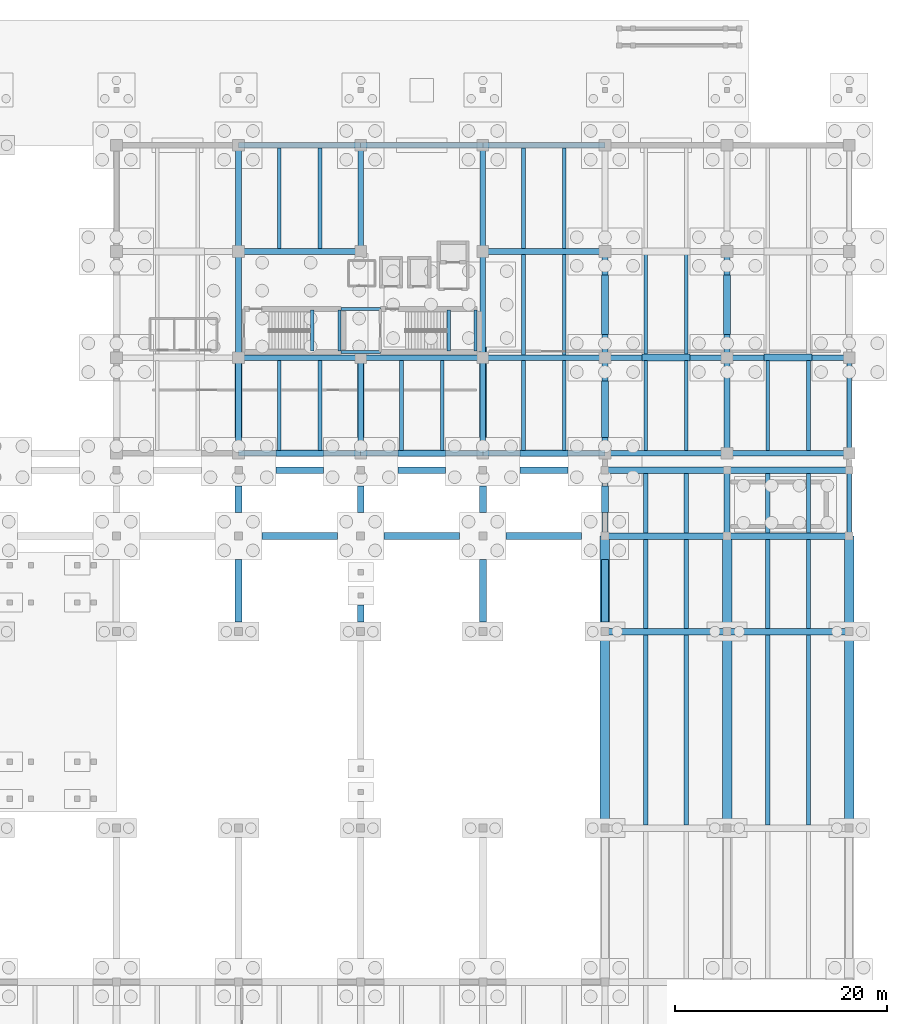
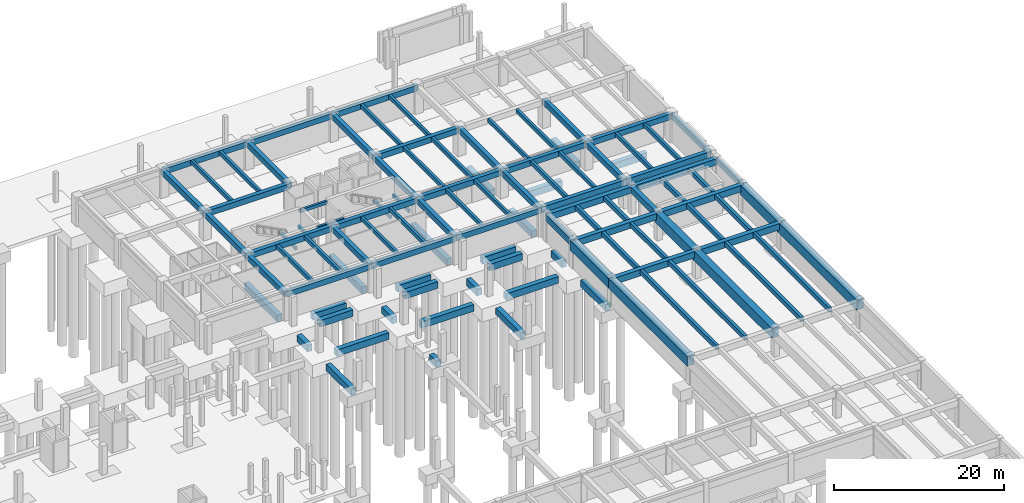
# One storey, part 15 of 28: 104 beams.
"""IFC4 building model written with IfcOpenShell, lengths in metres."""

from ifc_helpers import new_model, si_unit, direction, frame, origin, origin_2d, place, context, subcontext, project, spatial, rectangle, extrude, material, material_profile, profile_set, type_object, element, save


model = new_model("IFC4")

# Units and contexts
model_context = context("Model", 3, precision=1e-05, world=origin(), true_north=direction((0.0, 1.0)))
body_context = subcontext(model_context, "Body", "Model", "MODEL_VIEW")
ifc_project = project(units=[si_unit("LENGTHUNIT", "METRE"), si_unit("AREAUNIT", "SQUARE_METRE"), si_unit("VOLUMEUNIT", "CUBIC_METRE"), si_unit("PLANEANGLEUNIT", "RADIAN"), si_unit("MASSUNIT", "GRAM", prefix="KILO")], contexts=[model_context])

# Site, building, storey
site_placement = place(None, origin())
site = spatial("IfcSite", under=ifc_project, at=site_placement, CompositionType="ELEMENT")
building_placement = place(site_placement, origin())
building = spatial("IfcBuilding", under=site, at=building_placement, Name="Ologun Quay Terminus", CompositionType="ELEMENT")
storey_placement = place(building_placement, frame((0.0, 0.0, -8.39990234375)))
storey = spatial("IfcBuildingStorey", under=building, at=storey_placement, Name="B02", CompositionType="ELEMENT", Elevation=-8.39990234375)

# Beams
ifc_material_1 = material(Name="Concrete C40/50", Category="concrete")
ifc_material_profile_1 = material_profile(ifc_material_1, rectangle(XDim=0.300048828125, YDim=0.449951171875, at=origin_2d()), Name="RC 300x450")
ifc_profile_set_1 = profile_set([ifc_material_profile_1], Name="Concrete C40/50")
beam_type_1 = type_object("IfcBeamType", Name="Core Coupling Lintel Beam 300x450", PredefinedType="LINTEL", material=ifc_profile_set_1)
for number, where, z_axis, x_axis, name in (
    (1, (136.14990234375, 95.324951171875, 3.724853515625), (1.0, 0.0, 0.0), (0.0, 1.0, 0.0), "LN1 Beam 13/H B02"),
    (2, (136.14990234375, 99.375, 3.724853515625), (1.0, 0.0, 0.0), (0.0, 1.0, 0.0), "LN1 Beam 13/H B02"),
):
    element("IfcBeam", number, at=place(storey_placement, frame(where, z_axis=z_axis, x_axis=x_axis)), inside=storey, type_object=beam_type_1, Name=name, PredefinedType="LINTEL", context=body_context, shape_type="SweptSolid", body=[
        extrude(rectangle(XDim=0.300048828125, YDim=0.449951171875, at=origin_2d()), origin(), (0.0, 0.0, 1.0), 3.7001953125),
    ])
for number, where, z_axis, x_axis, name in (
    (3, (133.43994140625, 95.429931640625, 1.69482421875), (0.0, 1.0, 0.0), (-1.0, 0.0, 0.0), "LN1 Half-Landing Ledger Beam ST-E1-W B02"),
    (4, (136.010009765625, 95.429931640625, 1.69482421875), (0.0, 1.0, 0.0), (-1.0, 0.0, 0.0), "LN1 Half-Landing Ledger Beam ST-E1-E B02"),
    (5, (146.2900390625, 95.429931640625, 1.69482421875), (0.0, 1.0, 0.0), (-1.0, 0.0, 0.0), "LN1 Half-Landing Ledger Beam ST-E2-W B02"),
    (6, (148.81005859375, 95.429931640625, 1.69482421875), (0.0, 1.0, 0.0), (-1.0, 0.0, 0.0), "LN1 Half-Landing Ledger Beam ST-E2-E B02"),
):
    element("IfcBeam", number, at=place(storey_placement, frame(where, z_axis=z_axis, x_axis=x_axis)), inside=storey, type_object=beam_type_1, Name=name, PredefinedType="LINTEL", context=body_context, shape_type="SweptSolid", body=[
        extrude(rectangle(XDim=0.300048828125, YDim=0.449951171875, at=origin_2d()), origin(), (0.0, 0.0, 1.0), 3.840087890625),
    ])
ifc_material_2 = material(Name="Concrete C40/50", Category="concrete")
ifc_material_profile_2 = material_profile(ifc_material_2, rectangle(XDim=0.550048828125, YDim=0.800048828125, at=origin_2d()), Name="RC 550x800")
ifc_profile_set_2 = profile_set([ifc_material_profile_2], Name="Concrete C40/50")
beam_type_2 = type_object("IfcBeamType", Name="Courtyard Wing Primary Girder 550x800", PredefinedType="BEAM", material=ifc_profile_set_2)
for number, where, z_axis, x_axis, name in (
    (7, (126.5, 85.800048828125, 3.52001953125), (1.0, 0.0, 0.0), (0.0, 1.0, 0.0), "B4 Beam 12/G2 B02"),
    (8, (138.0, 85.800048828125, 3.52001953125), (1.0, 0.0, 0.0), (0.0, 1.0, 0.0), "B4 Beam 13/G2 B02"),
    (9, (149.5, 85.800048828125, 3.52001953125), (1.0, 0.0, 0.0), (0.0, 1.0, 0.0), "B4 Beam 14/G2 B02"),
    (10, (161.0, 85.800048828125, 3.52001953125), (1.0, 0.0, 0.0), (0.0, 1.0, 0.0), "B4 Beam 15/G2 B02"),
    (11, (172.5, 85.800048828125, 3.52001953125), (1.0, 0.0, 0.0), (0.0, 1.0, 0.0), "B4 Beam 16/G2 B02"),
    (12, (126.5, 94.800048828125, 3.52001953125), (1.0, 0.0, 0.0), (0.0, 1.0, 0.0), "B4 Beam 12/H B02"),
    (13, (138.0, 94.800048828125, 3.52001953125), (1.0, 0.0, 0.0), (0.0, 1.0, 0.0), "B4 Beam 13/H B02"),
    (14, (149.5, 94.800048828125, 3.52001953125), (1.0, 0.0, 0.0), (0.0, 1.0, 0.0), "B4 Beam 14/H B02"),
    (15, (161.0, 94.800048828125, 3.52001953125), (1.0, 0.0, 0.0), (0.0, 1.0, 0.0), "B4 Beam 15/H B02"),
    (16, (172.5, 94.800048828125, 3.52001953125), (1.0, 0.0, 0.0), (0.0, 1.0, 0.0), "B4 Beam 16/H B02"),
    (17, (126.5, 104.800048828125, 3.52001953125), (1.0, 0.0, 0.0), (0.0, 1.0, 0.0), "B4 Beam 12/J B02"),
    (18, (149.5, 104.800048828125, 3.52001953125), (1.0, 0.0, 0.0), (0.0, 1.0, 0.0), "B4 Beam 14/J B02"),
    (19, (126.5, 114.800048828125, 3.52001953125), (1.0, 0.0, 0.0), (0.0, 1.0, 0.0), "B4 Beam 12/K B02"),
    (20, (138.0, 114.800048828125, 3.52001953125), (1.0, 0.0, 0.0), (0.0, 1.0, 0.0), "B4 Beam 13/K B02"),
    (21, (149.5, 114.800048828125, 3.52001953125), (1.0, 0.0, 0.0), (0.0, 1.0, 0.0), "B4 Beam 14/K B02"),
):
    element("IfcBeam", number, at=place(storey_placement, frame(where, z_axis=z_axis, x_axis=x_axis)), inside=storey, type_object=beam_type_2, Name=name, PredefinedType="BEAM", context=body_context, shape_type="SweptSolid", body=[
        extrude(rectangle(XDim=0.550048828125, YDim=0.800048828125, at=origin_2d()), origin(), (0.0, 0.0, 1.0), 11.5),
    ])
beam_1_placement = place(storey_placement, frame((126.5, 85.800048828125, 3.52001953125), z_axis=(0.0, 1.0, 0.0), x_axis=(-1.0, 0.0, 0.0)))
element("IfcBeam", 22, at=beam_1_placement, inside=storey, type_object=beam_type_2, Name="B4 Beam 12/G2 B02", PredefinedType="BEAM", context=body_context, shape_type="SweptSolid", body=[
    extrude(rectangle(XDim=0.550048828125, YDim=0.800048828125, at=origin_2d()), origin(), (0.0, 0.0, 1.0), 9.0),
])
for number, where, z_axis, x_axis, name in (
    (23, (126.5, 94.800048828125, 3.52001953125), (0.0, 1.0, 0.0), (-1.0, 0.0, 0.0), "B4 Beam 12/H B02"),
    (24, (126.5, 104.800048828125, 3.52001953125), (0.0, 1.0, 0.0), (-1.0, 0.0, 0.0), "B4 Beam 12/J B02"),
):
    element("IfcBeam", number, at=place(storey_placement, frame(where, z_axis=z_axis, x_axis=x_axis)), inside=storey, type_object=beam_type_2, Name=name, PredefinedType="BEAM", context=body_context, shape_type="SweptSolid", body=[
        extrude(rectangle(XDim=0.550048828125, YDim=0.800048828125, at=origin_2d()), origin(), (0.0, 0.0, 1.0), 10.0),
    ])
beam_2_placement = place(storey_placement, frame((138.0, 85.800048828125, 3.52001953125), z_axis=(0.0, 1.0, 0.0), x_axis=(-1.0, 0.0, 0.0)))
element("IfcBeam", 25, at=beam_2_placement, inside=storey, type_object=beam_type_2, Name="B4 Beam 13/G2 B02", PredefinedType="BEAM", context=body_context, shape_type="SweptSolid", body=[
    extrude(rectangle(XDim=0.550048828125, YDim=0.800048828125, at=origin_2d()), origin(), (0.0, 0.0, 1.0), 9.0),
])
beam_3_placement = place(storey_placement, frame((138.0, 104.800048828125, 3.52001953125), z_axis=(0.0, 1.0, 0.0), x_axis=(-1.0, 0.0, 0.0)))
element("IfcBeam", 26, at=beam_3_placement, inside=storey, type_object=beam_type_2, Name="B4 Beam 13/J B02", PredefinedType="BEAM", context=body_context, shape_type="SweptSolid", body=[
    extrude(rectangle(XDim=0.550048828125, YDim=0.800048828125, at=origin_2d()), origin(), (0.0, 0.0, 1.0), 10.0),
])
beam_4_placement = place(storey_placement, frame((149.5, 85.800048828125, 3.52001953125), z_axis=(0.0, 1.0, 0.0), x_axis=(-1.0, 0.0, 0.0)))
element("IfcBeam", 27, at=beam_4_placement, inside=storey, type_object=beam_type_2, Name="B4 Beam 14/G2 B02", PredefinedType="BEAM", context=body_context, shape_type="SweptSolid", body=[
    extrude(rectangle(XDim=0.550048828125, YDim=0.800048828125, at=origin_2d()), origin(), (0.0, 0.0, 1.0), 9.0),
])
for number, where, z_axis, x_axis, name in (
    (28, (149.5, 94.800048828125, 3.52001953125), (0.0, 1.0, 0.0), (-1.0, 0.0, 0.0), "B4 Beam 14/H B02"),
    (29, (149.5, 104.800048828125, 3.52001953125), (0.0, 1.0, 0.0), (-1.0, 0.0, 0.0), "B4 Beam 14/J B02"),
):
    element("IfcBeam", number, at=place(storey_placement, frame(where, z_axis=z_axis, x_axis=x_axis)), inside=storey, type_object=beam_type_2, Name=name, PredefinedType="BEAM", context=body_context, shape_type="SweptSolid", body=[
        extrude(rectangle(XDim=0.550048828125, YDim=0.800048828125, at=origin_2d()), origin(), (0.0, 0.0, 1.0), 10.0),
    ])
beam_5_placement = place(storey_placement, frame((161.0, 85.800048828125, 3.52001953125), z_axis=(0.0, 1.0, 0.0), x_axis=(-1.0, 0.0, 0.0)))
element("IfcBeam", 30, at=beam_5_placement, inside=storey, type_object=beam_type_2, Name="B4 Beam 15/G2 B02", PredefinedType="BEAM", context=body_context, shape_type="SweptSolid", body=[
    extrude(rectangle(XDim=0.550048828125, YDim=0.800048828125, at=origin_2d()), origin(), (0.0, 0.0, 1.0), 9.0),
])
beam_6_placement = place(storey_placement, frame((161.0, 94.800048828125, 3.52001953125), z_axis=(0.0, 1.0, 0.0), x_axis=(-1.0, 0.0, 0.0)))
element("IfcBeam", 31, at=beam_6_placement, inside=storey, type_object=beam_type_2, Name="B4 Beam 15/H B02", PredefinedType="BEAM", context=body_context, shape_type="SweptSolid", body=[
    extrude(rectangle(XDim=0.550048828125, YDim=0.800048828125, at=origin_2d()), origin(), (0.0, 0.0, 1.0), 10.0),
])
beam_7_placement = place(storey_placement, frame((172.5, 85.800048828125, 3.52001953125), z_axis=(0.0, 1.0, 0.0), x_axis=(-1.0, 0.0, 0.0)))
element("IfcBeam", 32, at=beam_7_placement, inside=storey, type_object=beam_type_2, Name="B4 Beam 16/G2 B02", PredefinedType="BEAM", context=body_context, shape_type="SweptSolid", body=[
    extrude(rectangle(XDim=0.550048828125, YDim=0.800048828125, at=origin_2d()), origin(), (0.0, 0.0, 1.0), 9.0),
])
beam_8_placement = place(storey_placement, frame((172.5, 94.800048828125, 3.52001953125), z_axis=(0.0, 1.0, 0.0), x_axis=(-1.0, 0.0, 0.0)))
element("IfcBeam", 33, at=beam_8_placement, inside=storey, type_object=beam_type_2, Name="B4 Beam 16/H B02", PredefinedType="BEAM", context=body_context, shape_type="SweptSolid", body=[
    extrude(rectangle(XDim=0.550048828125, YDim=0.800048828125, at=origin_2d()), origin(), (0.0, 0.0, 1.0), 10.0),
])
ifc_material_3 = material(Name="Concrete C40/50", Category="concrete")
ifc_material_profile_3 = material_profile(ifc_material_3, rectangle(XDim=0.35009765625, YDim=0.550048828125, at=origin_2d()), Name="RC 350x550")
ifc_profile_set_3 = profile_set([ifc_material_profile_3], Name="Concrete C40/50")
beam_type_3 = type_object("IfcBeamType", Name="Courtyard Wing Secondary Joist 350x550", PredefinedType="JOIST", material=ifc_profile_set_3)
for number, where, z_axis, x_axis, name in (
    (34, (130.333251953125, 86.074951171875, 3.64501953125), (0.0, 1.0, 0.0), (-1.0, 0.0, 0.0), "J2 Beam 12/G2 B02"),
    (35, (134.166748046875, 86.074951171875, 3.64501953125), (0.0, 1.0, 0.0), (-1.0, 0.0, 0.0), "J2 Beam 12/G2 B02"),
):
    element("IfcBeam", number, at=place(storey_placement, frame(where, z_axis=z_axis, x_axis=x_axis)), inside=storey, type_object=beam_type_3, Name=name, PredefinedType="JOIST", context=body_context, shape_type="SweptSolid", body=[
        extrude(rectangle(XDim=0.35009765625, YDim=0.550048828125, at=origin_2d()), origin(), (0.0, 0.0, 1.0), 8.449951171875),
    ])
for number, where, z_axis, x_axis, name in (
    (36, (130.333251953125, 105.074951171875, 3.64501953125), (0.0, 1.0, 0.0), (-1.0, 0.0, 0.0), "J2 Beam 12/J B02"),
    (37, (134.166748046875, 105.074951171875, 3.64501953125), (0.0, 1.0, 0.0), (-1.0, 0.0, 0.0), "J2 Beam 12/J B02"),
):
    element("IfcBeam", number, at=place(storey_placement, frame(where, z_axis=z_axis, x_axis=x_axis)), inside=storey, type_object=beam_type_3, Name=name, PredefinedType="JOIST", context=body_context, shape_type="SweptSolid", body=[
        extrude(rectangle(XDim=0.35009765625, YDim=0.550048828125, at=origin_2d()), origin(), (0.0, 0.0, 1.0), 9.449951171875),
    ])
for number, where, z_axis, x_axis, name in (
    (38, (141.833251953125, 86.074951171875, 3.64501953125), (0.0, 1.0, 0.0), (-1.0, 0.0, 0.0), "J2 Beam 13/G2 B02"),
    (39, (145.666748046875, 86.074951171875, 3.64501953125), (0.0, 1.0, 0.0), (-1.0, 0.0, 0.0), "J2 Beam 13/G2 B02"),
    (40, (153.333251953125, 86.074951171875, 3.64501953125), (0.0, 1.0, 0.0), (-1.0, 0.0, 0.0), "J2 Beam 14/G2 B02"),
    (41, (157.166748046875, 86.074951171875, 3.64501953125), (0.0, 1.0, 0.0), (-1.0, 0.0, 0.0), "J2 Beam 14/G2 B02"),
):
    element("IfcBeam", number, at=place(storey_placement, frame(where, z_axis=z_axis, x_axis=x_axis)), inside=storey, type_object=beam_type_3, Name=name, PredefinedType="JOIST", context=body_context, shape_type="SweptSolid", body=[
        extrude(rectangle(XDim=0.35009765625, YDim=0.550048828125, at=origin_2d()), origin(), (0.0, 0.0, 1.0), 8.449951171875),
    ])
for number, where, z_axis, x_axis, name in (
    (42, (153.333251953125, 95.074951171875, 3.64501953125), (0.0, 1.0, 0.0), (-1.0, 0.0, 0.0), "J2 Beam 14/H B02"),
    (43, (157.166748046875, 95.074951171875, 3.64501953125), (0.0, 1.0, 0.0), (-1.0, 0.0, 0.0), "J2 Beam 14/H B02"),
    (44, (153.333251953125, 105.074951171875, 3.64501953125), (0.0, 1.0, 0.0), (-1.0, 0.0, 0.0), "J2 Beam 14/J B02"),
    (45, (157.166748046875, 105.074951171875, 3.64501953125), (0.0, 1.0, 0.0), (-1.0, 0.0, 0.0), "J2 Beam 14/J B02"),
):
    element("IfcBeam", number, at=place(storey_placement, frame(where, z_axis=z_axis, x_axis=x_axis)), inside=storey, type_object=beam_type_3, Name=name, PredefinedType="JOIST", context=body_context, shape_type="SweptSolid", body=[
        extrude(rectangle(XDim=0.35009765625, YDim=0.550048828125, at=origin_2d()), origin(), (0.0, 0.0, 1.0), 9.449951171875),
    ])
for number, where, z_axis, x_axis, name in (
    (46, (164.833251953125, 86.074951171875, 3.64501953125), (0.0, 1.0, 0.0), (-1.0, 0.0, 0.0), "J2 Beam 15/G2 B02"),
    (47, (168.666748046875, 86.074951171875, 3.64501953125), (0.0, 1.0, 0.0), (-1.0, 0.0, 0.0), "J2 Beam 15/G2 B02"),
):
    element("IfcBeam", number, at=place(storey_placement, frame(where, z_axis=z_axis, x_axis=x_axis)), inside=storey, type_object=beam_type_3, Name=name, PredefinedType="JOIST", context=body_context, shape_type="SweptSolid", body=[
        extrude(rectangle(XDim=0.35009765625, YDim=0.550048828125, at=origin_2d()), origin(), (0.0, 0.0, 1.0), 8.449951171875),
    ])
for number, where, z_axis, x_axis, name in (
    (48, (164.833251953125, 95.074951171875, 3.64501953125), (0.0, 1.0, 0.0), (-1.0, 0.0, 0.0), "J2 Beam 15/H B02"),
    (49, (168.666748046875, 95.074951171875, 3.64501953125), (0.0, 1.0, 0.0), (-1.0, 0.0, 0.0), "J2 Beam 15/H B02"),
):
    element("IfcBeam", number, at=place(storey_placement, frame(where, z_axis=z_axis, x_axis=x_axis)), inside=storey, type_object=beam_type_3, Name=name, PredefinedType="JOIST", context=body_context, shape_type="SweptSolid", body=[
        extrude(rectangle(XDim=0.35009765625, YDim=0.550048828125, at=origin_2d()), origin(), (0.0, 0.0, 1.0), 9.449951171875),
    ])
for number, where, z_axis, x_axis, name in (
    (50, (176.333251953125, 86.074951171875, 3.64501953125), (0.0, 1.0, 0.0), (-1.0, 0.0, 0.0), "J2 Beam 16/G2 B02"),
    (51, (180.166748046875, 86.074951171875, 3.64501953125), (0.0, 1.0, 0.0), (-1.0, 0.0, 0.0), "J2 Beam 16/G2 B02"),
):
    element("IfcBeam", number, at=place(storey_placement, frame(where, z_axis=z_axis, x_axis=x_axis)), inside=storey, type_object=beam_type_3, Name=name, PredefinedType="JOIST", context=body_context, shape_type="SweptSolid", body=[
        extrude(rectangle(XDim=0.35009765625, YDim=0.550048828125, at=origin_2d()), origin(), (0.0, 0.0, 1.0), 8.449951171875),
    ])
ifc_material_4 = material(Name="Concrete C35/45", Category="concrete")
ifc_material_profile_4 = material_profile(ifc_material_4, rectangle(XDim=0.64990234375, YDim=0.949951171875, at=origin_2d()), Name="RC 650x950")
ifc_profile_set_4 = profile_set([ifc_material_profile_4], Name="Concrete C35/45")
beam_type_4 = type_object("IfcBeamType", Name="Foundation Tie Beam 650x950", PredefinedType="BEAM", material=ifc_profile_set_4)
for number, where, z_axis, x_axis, name in (
    (52, (128.699951171875, 78.0, -0.925048828125), (1.0, 0.0, 0.0), (0.0, 1.0, 0.0), "GB1 Beam 1/F B02"),
    (53, (140.199951171875, 78.0, -0.925048828125), (1.0, 0.0, 0.0), (0.0, 1.0, 0.0), "GB1 Beam 1/F B02"),
    (54, (151.699951171875, 78.0, -0.925048828125), (1.0, 0.0, 0.0), (0.0, 1.0, 0.0), "GB1 Beam 1/F B02"),
):
    element("IfcBeam", number, at=place(storey_placement, frame(where, z_axis=z_axis, x_axis=x_axis)), inside=storey, type_object=beam_type_4, Name=name, PredefinedType="BEAM", context=body_context, shape_type="SweptSolid", body=[
        extrude(rectangle(XDim=0.64990234375, YDim=0.949951171875, at=origin_2d()), origin(), (0.0, 0.0, 1.0), 7.10009765625),
    ])
for number, where, z_axis, x_axis, name in (
    (55, (130.0, 84.199951171875, -0.925048828125), (1.0, 0.0, 0.0), (0.0, 1.0, 0.0), "GB1 Beam 1/G1 B02"),
    (56, (141.5, 84.199951171875, -0.925048828125), (1.0, 0.0, 0.0), (0.0, 1.0, 0.0), "GB1 Beam 1/G1 B02"),
    (57, (153.0, 84.199951171875, -0.925048828125), (1.0, 0.0, 0.0), (0.0, 1.0, 0.0), "GB1 Beam 1/G1 B02"),
    (58, (130.0, 85.800048828125, -0.925048828125), (1.0, 0.0, 0.0), (0.0, 1.0, 0.0), "GB1 Beam 1/G2 B02"),
    (59, (141.5, 85.800048828125, -0.925048828125), (1.0, 0.0, 0.0), (0.0, 1.0, 0.0), "GB1 Beam 1/G2 B02"),
    (60, (153.0, 85.800048828125, -0.925048828125), (1.0, 0.0, 0.0), (0.0, 1.0, 0.0), "GB1 Beam 1/G2 B02"),
    (61, (164.5, 94.800048828125, -0.925048828125), (1.0, 0.0, 0.0), (0.0, 1.0, 0.0), "GB1 Beam 1/H B02"),
    (62, (176.0, 94.800048828125, -0.925048828125), (1.0, 0.0, 0.0), (0.0, 1.0, 0.0), "GB1 Beam 1/H B02"),
):
    element("IfcBeam", number, at=place(storey_placement, frame(where, z_axis=z_axis, x_axis=x_axis)), inside=storey, type_object=beam_type_4, Name=name, PredefinedType="BEAM", context=body_context, shape_type="SweptSolid", body=[
        extrude(rectangle(XDim=0.64990234375, YDim=0.949951171875, at=origin_2d()), origin(), (0.0, 0.0, 1.0), 4.5),
    ])
beam_9_placement = place(storey_placement, frame((126.5, 69.89990234375, -0.925048828125), z_axis=(0.0, 1.0, 0.0), x_axis=(-1.0, 0.0, 0.0)))
element("IfcBeam", 63, at=beam_9_placement, inside=storey, type_object=beam_type_4, Name="GB1 Beam 12/B B02", PredefinedType="BEAM", context=body_context, shape_type="SweptSolid", body=[
    extrude(rectangle(XDim=0.64990234375, YDim=0.949951171875, at=origin_2d()), origin(), (0.0, 0.0, 1.0), 5.900146484375),
])
beam_10_placement = place(storey_placement, frame((126.5, 80.199951171875, -0.925048828125), z_axis=(0.0, 1.0, 0.0), x_axis=(-1.0, 0.0, 0.0)))
element("IfcBeam", 64, at=beam_10_placement, inside=storey, type_object=beam_type_4, Name="GB1 Beam 12/B B02", PredefinedType="BEAM", context=body_context, shape_type="SweptSolid", body=[
    extrude(rectangle(XDim=0.64990234375, YDim=0.949951171875, at=origin_2d()), origin(), (0.0, 0.0, 1.0), 2.5),
])
beam_11_placement = place(storey_placement, frame((126.5, 87.300048828125, -0.925048828125), z_axis=(0.0, 1.0, 0.0), x_axis=(-1.0, 0.0, 0.0)))
element("IfcBeam", 65, at=beam_11_placement, inside=storey, type_object=beam_type_4, Name="GB1 Beam 12/B B02", PredefinedType="BEAM", context=body_context, shape_type="SweptSolid", body=[
    extrude(rectangle(XDim=0.64990234375, YDim=0.949951171875, at=origin_2d()), origin(), (0.0, 0.0, 1.0), 7.699951171875),
])
beam_12_placement = place(storey_placement, frame((138.0, 69.89990234375, -0.925048828125), z_axis=(0.0, 1.0, 0.0), x_axis=(-1.0, 0.0, 0.0)))
element("IfcBeam", 66, at=beam_12_placement, inside=storey, type_object=beam_type_4, Name="GB1 Beam 13/B B02", PredefinedType="BEAM", context=body_context, shape_type="SweptSolid", body=[
    extrude(rectangle(XDim=0.64990234375, YDim=0.949951171875, at=origin_2d()), origin(), (0.0, 0.0, 1.0), 1.60009765625),
])
beam_13_placement = place(storey_placement, frame((138.0, 80.199951171875, -0.925048828125), z_axis=(0.0, 1.0, 0.0), x_axis=(-1.0, 0.0, 0.0)))
element("IfcBeam", 67, at=beam_13_placement, inside=storey, type_object=beam_type_4, Name="GB1 Beam 13/B B02", PredefinedType="BEAM", context=body_context, shape_type="SweptSolid", body=[
    extrude(rectangle(XDim=0.64990234375, YDim=0.949951171875, at=origin_2d()), origin(), (0.0, 0.0, 1.0), 2.5),
])
beam_14_placement = place(storey_placement, frame((138.0, 87.300048828125, -0.925048828125), z_axis=(0.0, 1.0, 0.0), x_axis=(-1.0, 0.0, 0.0)))
element("IfcBeam", 68, at=beam_14_placement, inside=storey, type_object=beam_type_4, Name="GB1 Beam 13/B B02", PredefinedType="BEAM", context=body_context, shape_type="SweptSolid", body=[
    extrude(rectangle(XDim=0.64990234375, YDim=0.949951171875, at=origin_2d()), origin(), (0.0, 0.0, 1.0), 7.699951171875),
])
beam_15_placement = place(storey_placement, frame((149.5, 69.89990234375, -0.925048828125), z_axis=(0.0, 1.0, 0.0), x_axis=(-1.0, 0.0, 0.0)))
element("IfcBeam", 69, at=beam_15_placement, inside=storey, type_object=beam_type_4, Name="GB1 Beam 14/B B02", PredefinedType="BEAM", context=body_context, shape_type="SweptSolid", body=[
    extrude(rectangle(XDim=0.64990234375, YDim=0.949951171875, at=origin_2d()), origin(), (0.0, 0.0, 1.0), 5.900146484375),
])
beam_16_placement = place(storey_placement, frame((149.5, 80.199951171875, -0.925048828125), z_axis=(0.0, 1.0, 0.0), x_axis=(-1.0, 0.0, 0.0)))
element("IfcBeam", 70, at=beam_16_placement, inside=storey, type_object=beam_type_4, Name="GB1 Beam 14/B B02", PredefinedType="BEAM", context=body_context, shape_type="SweptSolid", body=[
    extrude(rectangle(XDim=0.64990234375, YDim=0.949951171875, at=origin_2d()), origin(), (0.0, 0.0, 1.0), 2.5),
])
beam_17_placement = place(storey_placement, frame((149.5, 87.300048828125, -0.925048828125), z_axis=(0.0, 1.0, 0.0), x_axis=(-1.0, 0.0, 0.0)))
element("IfcBeam", 71, at=beam_17_placement, inside=storey, type_object=beam_type_4, Name="GB1 Beam 14/B B02", PredefinedType="BEAM", context=body_context, shape_type="SweptSolid", body=[
    extrude(rectangle(XDim=0.64990234375, YDim=0.949951171875, at=origin_2d()), origin(), (0.0, 0.0, 1.0), 8.5),
])
beam_18_placement = place(storey_placement, frame((161.0, 69.89990234375, -0.925048828125), z_axis=(0.0, 1.0, 0.0), x_axis=(-1.0, 0.0, 0.0)))
element("IfcBeam", 72, at=beam_18_placement, inside=storey, type_object=beam_type_4, Name="GB1 Beam 15/B B02", PredefinedType="BEAM", context=body_context, shape_type="SweptSolid", body=[
    extrude(rectangle(XDim=0.64990234375, YDim=0.949951171875, at=origin_2d()), origin(), (0.0, 0.0, 1.0), 5.900146484375),
])
beam_19_placement = place(storey_placement, frame((161.0, 80.199951171875, -0.925048828125), z_axis=(0.0, 1.0, 0.0), x_axis=(-1.0, 0.0, 0.0)))
element("IfcBeam", 73, at=beam_19_placement, inside=storey, type_object=beam_type_4, Name="GB1 Beam 15/B B02", PredefinedType="BEAM", context=body_context, shape_type="SweptSolid", body=[
    extrude(rectangle(XDim=0.64990234375, YDim=0.949951171875, at=origin_2d()), origin(), (0.0, 0.0, 1.0), 2.5),
])
beam_20_placement = place(storey_placement, frame((161.0, 87.300048828125, -0.925048828125), z_axis=(0.0, 1.0, 0.0), x_axis=(-1.0, 0.0, 0.0)))
element("IfcBeam", 74, at=beam_20_placement, inside=storey, type_object=beam_type_4, Name="GB1 Beam 15/B B02", PredefinedType="BEAM", context=body_context, shape_type="SweptSolid", body=[
    extrude(rectangle(XDim=0.64990234375, YDim=0.949951171875, at=origin_2d()), origin(), (0.0, 0.0, 1.0), 5.300048828125),
])
for number, where, z_axis, x_axis, name in (
    (75, (161.0, 97.0, -0.925048828125), (0.0, 1.0, 0.0), (-1.0, 0.0, 0.0), "GB1 Beam 15/B B02"),
    (76, (172.5, 97.0, -0.925048828125), (0.0, 1.0, 0.0), (-1.0, 0.0, 0.0), "GB1 Beam 16/B B02"),
):
    element("IfcBeam", number, at=place(storey_placement, frame(where, z_axis=z_axis, x_axis=x_axis)), inside=storey, type_object=beam_type_4, Name=name, PredefinedType="BEAM", context=body_context, shape_type="SweptSolid", body=[
        extrude(rectangle(XDim=0.64990234375, YDim=0.949951171875, at=origin_2d()), origin(), (0.0, 0.0, 1.0), 5.60009765625),
    ])
ifc_material_5 = material(Name="Concrete C45/55", Category="concrete")
ifc_material_profile_5 = material_profile(ifc_material_5, rectangle(XDim=0.89990234375, YDim=1.39990234375, at=origin_2d()), Name="RC 900x1400")
ifc_profile_set_5 = profile_set([ifc_material_profile_5], Name="Concrete C45/55")
beam_type_5 = type_object("IfcBeamType", Name="Heavy Track Deck Girder 900x1400", PredefinedType="BEAM", material=ifc_profile_set_5)
beam_21_placement = place(storey_placement, frame((161.0, 50.5, 3.219970703125), z_axis=(0.0, 1.0, 0.0), x_axis=(-1.0, 0.0, 0.0)))
element("IfcBeam", 77, at=beam_21_placement, inside=storey, type_object=beam_type_5, Name="B1 Beam 15/E B02", PredefinedType="BEAM", context=body_context, shape_type="SweptSolid", body=[
    extrude(rectangle(XDim=0.89990234375, YDim=1.39990234375, at=origin_2d()), origin(), (0.0, 0.0, 1.0), 18.5),
])
beam_22_placement = place(storey_placement, frame((161.0, 69.0, 3.219970703125), z_axis=(0.0, 1.0, 0.0), x_axis=(-1.0, 0.0, 0.0)))
element("IfcBeam", 78, at=beam_22_placement, inside=storey, type_object=beam_type_5, Name="B1 Beam 15/E B02", PredefinedType="BEAM", context=body_context, shape_type="SweptSolid", body=[
    extrude(rectangle(XDim=0.89990234375, YDim=1.39990234375, at=origin_2d()), origin(), (0.0, 0.0, 1.0), 9.0),
])
beam_23_placement = place(storey_placement, frame((172.5, 50.5, 3.219970703125), z_axis=(0.0, 1.0, 0.0), x_axis=(-1.0, 0.0, 0.0)))
element("IfcBeam", 79, at=beam_23_placement, inside=storey, type_object=beam_type_5, Name="B1 Beam 16/E B02", PredefinedType="BEAM", context=body_context, shape_type="SweptSolid", body=[
    extrude(rectangle(XDim=0.89990234375, YDim=1.39990234375, at=origin_2d()), origin(), (0.0, 0.0, 1.0), 18.5),
])
beam_24_placement = place(storey_placement, frame((172.5, 69.0, 3.219970703125), z_axis=(0.0, 1.0, 0.0), x_axis=(-1.0, 0.0, 0.0)))
element("IfcBeam", 80, at=beam_24_placement, inside=storey, type_object=beam_type_5, Name="B1 Beam 16/E B02", PredefinedType="BEAM", context=body_context, shape_type="SweptSolid", body=[
    extrude(rectangle(XDim=0.89990234375, YDim=1.39990234375, at=origin_2d()), origin(), (0.0, 0.0, 1.0), 9.0),
])
beam_25_placement = place(storey_placement, frame((184.0, 50.5, 3.219970703125), z_axis=(0.0, 1.0, 0.0), x_axis=(-1.0, 0.0, 0.0)))
element("IfcBeam", 81, at=beam_25_placement, inside=storey, type_object=beam_type_5, Name="B1 Beam 17/E B02", PredefinedType="BEAM", context=body_context, shape_type="SweptSolid", body=[
    extrude(rectangle(XDim=0.89990234375, YDim=1.39990234375, at=origin_2d()), origin(), (0.0, 0.0, 1.0), 18.5),
])
beam_26_placement = place(storey_placement, frame((184.0, 69.0, 3.219970703125), z_axis=(0.0, 1.0, 0.0), x_axis=(-1.0, 0.0, 0.0)))
element("IfcBeam", 82, at=beam_26_placement, inside=storey, type_object=beam_type_5, Name="B1 Beam 17/E B02", PredefinedType="BEAM", context=body_context, shape_type="SweptSolid", body=[
    extrude(rectangle(XDim=0.89990234375, YDim=1.39990234375, at=origin_2d()), origin(), (0.0, 0.0, 1.0), 9.0),
])
ifc_material_6 = material(Name="Concrete C40/50", Category="concrete")
ifc_material_profile_6 = material_profile(ifc_material_6, rectangle(XDim=0.449951171875, YDim=0.699951171875, at=origin_2d()), Name="RC 450x700")
ifc_profile_set_6 = profile_set([ifc_material_profile_6], Name="Concrete C40/50")
beam_type_6 = type_object("IfcBeamType", Name="Perimeter Spandrel Beam 450x700", PredefinedType="SPANDREL", material=ifc_profile_set_6)
beam_27_placement = place(storey_placement, frame((184.0, 78.0, 3.56982421875), z_axis=(0.0, 1.0, 0.0), x_axis=(-1.0, 0.0, 0.0)))
element("IfcBeam", 83, at=beam_27_placement, inside=storey, type_object=beam_type_6, Name="SP1 Beam 17/F B02", PredefinedType="SPANDREL", context=body_context, shape_type="SweptSolid", body=[
    extrude(rectangle(XDim=0.449951171875, YDim=0.699951171875, at=origin_2d()), origin(), (0.0, 0.0, 1.0), 6.199951171875),
])
beam_28_placement = place(storey_placement, frame((184.0, 85.800048828125, 3.56982421875), z_axis=(0.0, 1.0, 0.0), x_axis=(-1.0, 0.0, 0.0)))
element("IfcBeam", 84, at=beam_28_placement, inside=storey, type_object=beam_type_6, Name="SP1 Beam 17/G2 B02", PredefinedType="SPANDREL", context=body_context, shape_type="SweptSolid", body=[
    extrude(rectangle(XDim=0.449951171875, YDim=0.699951171875, at=origin_2d()), origin(), (0.0, 0.0, 1.0), 9.0),
])
ifc_material_7 = material(Name="Concrete C40/50", Category="concrete")
ifc_material_profile_7 = material_profile(ifc_material_7, rectangle(XDim=0.60009765625, YDim=0.89990234375, at=origin_2d()), Name="RC 600x900")
ifc_profile_set_7 = profile_set([ifc_material_profile_7], Name="Concrete C40/50")
beam_type_7 = type_object("IfcBeamType", Name="Station Frame Girder 600x900", PredefinedType="BEAM", material=ifc_profile_set_7)
for number, where, z_axis, x_axis, name in (
    (85, (161.0, 78.0, 3.469970703125), (1.0, 0.0, 0.0), (0.0, 1.0, 0.0), "B3 Beam 15/F B02"),
    (86, (172.5, 78.0, 3.469970703125), (1.0, 0.0, 0.0), (0.0, 1.0, 0.0), "B3 Beam 16/F B02"),
    (87, (161.0, 84.199951171875, 3.469970703125), (1.0, 0.0, 0.0), (0.0, 1.0, 0.0), "B3 Beam 15/G1 B02"),
    (88, (172.5, 84.199951171875, 3.469970703125), (1.0, 0.0, 0.0), (0.0, 1.0, 0.0), "B3 Beam 16/G1 B02"),
    (89, (161.0, 69.0, 3.469970703125), (1.0, 0.0, 0.0), (0.0, 1.0, 0.0), "B3 Beam 15/E B02"),
    (90, (172.5, 69.0, 3.469970703125), (1.0, 0.0, 0.0), (0.0, 1.0, 0.0), "B3 Beam 16/E B02"),
):
    element("IfcBeam", number, at=place(storey_placement, frame(where, z_axis=z_axis, x_axis=x_axis)), inside=storey, type_object=beam_type_7, Name=name, PredefinedType="BEAM", context=body_context, shape_type="SweptSolid", body=[
        extrude(rectangle(XDim=0.60009765625, YDim=0.89990234375, at=origin_2d()), origin(), (0.0, 0.0, 1.0), 11.5),
    ])
for number, where, z_axis, x_axis, name in (
    (91, (161.0, 78.0, 3.469970703125), (0.0, 1.0, 0.0), (-1.0, 0.0, 0.0), "B3 Beam 15/F B02"),
    (92, (172.5, 78.0, 3.469970703125), (0.0, 1.0, 0.0), (-1.0, 0.0, 0.0), "B3 Beam 16/F B02"),
):
    element("IfcBeam", number, at=place(storey_placement, frame(where, z_axis=z_axis, x_axis=x_axis)), inside=storey, type_object=beam_type_7, Name=name, PredefinedType="BEAM", context=body_context, shape_type="SweptSolid", body=[
        extrude(rectangle(XDim=0.60009765625, YDim=0.89990234375, at=origin_2d()), origin(), (0.0, 0.0, 1.0), 6.199951171875),
    ])
ifc_material_8 = material(Name="Concrete C40/50", Category="concrete")
ifc_material_profile_8 = material_profile(ifc_material_8, rectangle(XDim=0.39990234375, YDim=0.64990234375, at=origin_2d()), Name="RC 400x650")
ifc_profile_set_8 = profile_set([ifc_material_profile_8], Name="Concrete C40/50")
beam_type_8 = type_object("IfcBeamType", Name="Station Secondary Joist 400x650", PredefinedType="JOIST", material=ifc_profile_set_8)
beam_29_placement = place(storey_placement, frame((164.833251953125, 50.800048828125, 3.594970703125), z_axis=(0.0, 1.0, 0.0), x_axis=(-1.0, 0.0, 0.0)))
element("IfcBeam", 93, at=beam_29_placement, inside=storey, type_object=beam_type_8, Name="J1 Beam 15/E B02", PredefinedType="JOIST", context=body_context, shape_type="SweptSolid", body=[
    extrude(rectangle(XDim=0.39990234375, YDim=0.64990234375, at=origin_2d()), origin(), (0.0, 0.0, 1.0), 17.89990234375),
])
beam_30_placement = place(storey_placement, frame((164.833251953125, 69.300048828125, 3.594970703125), z_axis=(0.0, 1.0, 0.0), x_axis=(-1.0, 0.0, 0.0)))
element("IfcBeam", 94, at=beam_30_placement, inside=storey, type_object=beam_type_8, Name="J1 Beam 15/E B02", PredefinedType="JOIST", context=body_context, shape_type="SweptSolid", body=[
    extrude(rectangle(XDim=0.39990234375, YDim=0.64990234375, at=origin_2d()), origin(), (0.0, 0.0, 1.0), 8.39990234375),
])
beam_31_placement = place(storey_placement, frame((168.666748046875, 50.800048828125, 3.594970703125), z_axis=(0.0, 1.0, 0.0), x_axis=(-1.0, 0.0, 0.0)))
element("IfcBeam", 95, at=beam_31_placement, inside=storey, type_object=beam_type_8, Name="J1 Beam 15/E B02", PredefinedType="JOIST", context=body_context, shape_type="SweptSolid", body=[
    extrude(rectangle(XDim=0.39990234375, YDim=0.64990234375, at=origin_2d()), origin(), (0.0, 0.0, 1.0), 17.89990234375),
])
beam_32_placement = place(storey_placement, frame((168.666748046875, 69.300048828125, 3.594970703125), z_axis=(0.0, 1.0, 0.0), x_axis=(-1.0, 0.0, 0.0)))
element("IfcBeam", 96, at=beam_32_placement, inside=storey, type_object=beam_type_8, Name="J1 Beam 15/E B02", PredefinedType="JOIST", context=body_context, shape_type="SweptSolid", body=[
    extrude(rectangle(XDim=0.39990234375, YDim=0.64990234375, at=origin_2d()), origin(), (0.0, 0.0, 1.0), 8.39990234375),
])
beam_33_placement = place(storey_placement, frame((176.333251953125, 50.800048828125, 3.594970703125), z_axis=(0.0, 1.0, 0.0), x_axis=(-1.0, 0.0, 0.0)))
element("IfcBeam", 97, at=beam_33_placement, inside=storey, type_object=beam_type_8, Name="J1 Beam 16/E B02", PredefinedType="JOIST", context=body_context, shape_type="SweptSolid", body=[
    extrude(rectangle(XDim=0.39990234375, YDim=0.64990234375, at=origin_2d()), origin(), (0.0, 0.0, 1.0), 17.89990234375),
])
beam_34_placement = place(storey_placement, frame((176.333251953125, 69.300048828125, 3.594970703125), z_axis=(0.0, 1.0, 0.0), x_axis=(-1.0, 0.0, 0.0)))
element("IfcBeam", 98, at=beam_34_placement, inside=storey, type_object=beam_type_8, Name="J1 Beam 16/E B02", PredefinedType="JOIST", context=body_context, shape_type="SweptSolid", body=[
    extrude(rectangle(XDim=0.39990234375, YDim=0.64990234375, at=origin_2d()), origin(), (0.0, 0.0, 1.0), 8.39990234375),
])
beam_35_placement = place(storey_placement, frame((180.166748046875, 50.800048828125, 3.594970703125), z_axis=(0.0, 1.0, 0.0), x_axis=(-1.0, 0.0, 0.0)))
element("IfcBeam", 99, at=beam_35_placement, inside=storey, type_object=beam_type_8, Name="J1 Beam 16/E B02", PredefinedType="JOIST", context=body_context, shape_type="SweptSolid", body=[
    extrude(rectangle(XDim=0.39990234375, YDim=0.64990234375, at=origin_2d()), origin(), (0.0, 0.0, 1.0), 17.89990234375),
])
beam_36_placement = place(storey_placement, frame((180.166748046875, 69.300048828125, 3.594970703125), z_axis=(0.0, 1.0, 0.0), x_axis=(-1.0, 0.0, 0.0)))
element("IfcBeam", 100, at=beam_36_placement, inside=storey, type_object=beam_type_8, Name="J1 Beam 16/E B02", PredefinedType="JOIST", context=body_context, shape_type="SweptSolid", body=[
    extrude(rectangle(XDim=0.39990234375, YDim=0.64990234375, at=origin_2d()), origin(), (0.0, 0.0, 1.0), 8.39990234375),
])
for number, where, z_axis, x_axis, name in (
    (101, (164.833251953125, 78.300048828125, 3.594970703125), (0.0, 1.0, 0.0), (-1.0, 0.0, 0.0), "J1 Beam 15/F B02"),
    (102, (168.666748046875, 78.300048828125, 3.594970703125), (0.0, 1.0, 0.0), (-1.0, 0.0, 0.0), "J1 Beam 15/F B02"),
    (103, (176.333251953125, 78.300048828125, 3.594970703125), (0.0, 1.0, 0.0), (-1.0, 0.0, 0.0), "J1 Beam 16/F B02"),
    (104, (180.166748046875, 78.300048828125, 3.594970703125), (0.0, 1.0, 0.0), (-1.0, 0.0, 0.0), "J1 Beam 16/F B02"),
):
    element("IfcBeam", number, at=place(storey_placement, frame(where, z_axis=z_axis, x_axis=x_axis)), inside=storey, type_object=beam_type_8, Name=name, PredefinedType="JOIST", context=body_context, shape_type="SweptSolid", body=[
        extrude(rectangle(XDim=0.39990234375, YDim=0.64990234375, at=origin_2d()), origin(), (0.0, 0.0, 1.0), 5.599853515625),
    ])

save(model, "model.ifc")
